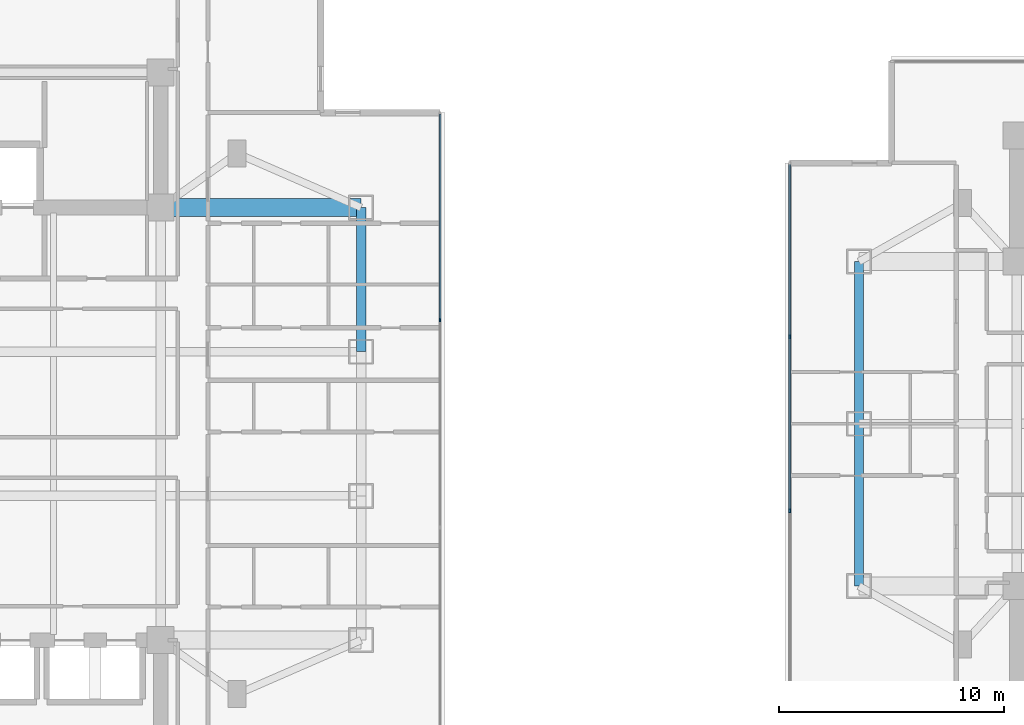
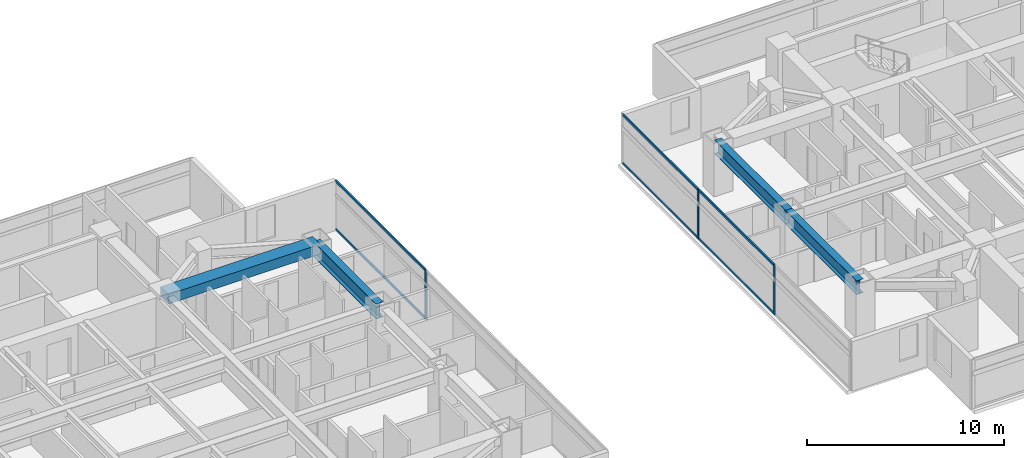
# One storey, part 6 of 26: 9 members, 4 beams, 2 elements without a shape of their own.
"""IFC4 building model written with IfcOpenShell, lengths in metres."""

import ifcopenshell
import ifcopenshell.guid

model = None  # the IFC model being written
_history = None  # IfcOwnerHistory: only IFC2X3 demands one
_inside = {}  # id of a spatial element -> (the spatial element, [elements in it])
_under = {}  # id of a project, library or spatial element -> (it, [spatial elements below it])
_declared = {}  # id of a project -> (the project, [libraries it declares])
_typed = {}  # id of a type object -> (the type object, [elements of that type])
_made_of = {}  # id of a material, layer set ... -> (it, [elements and type objects made of it])


def new_model(schema):
    """Start an empty IFC model of exactly this schema.

    Asked for "IFC4X3", IfcOpenShell would pick the latest addendum, in which some entities
    have other attributes; the version numbers below select the first issue.
    IFC2X3 requires an IfcOwnerHistory on every rooted entity: one is made here for all.
    """
    global model, _history
    if schema == "IFC4X3":
        model = ifcopenshell.file(schema_version=(4, 3, 0, 0))
    else:
        model = ifcopenshell.file(schema=schema)
    _inside.clear()
    _under.clear()
    _declared.clear()
    _typed.clear()
    _made_of.clear()
    _history = None
    if model.schema == "IFC2X3":
        org = make("IfcOrganization", Name="unknown")
        user = make(
            "IfcPersonAndOrganization",
            ThePerson=make("IfcPerson", FamilyName="unknown"),
            TheOrganization=org,
        )
        app = make(
            "IfcApplication",
            ApplicationDeveloper=org,
            Version="unknown",
            ApplicationFullName="unknown",
            ApplicationIdentifier="unknown",
        )
        _history = make(
            "IfcOwnerHistory",
            OwningUser=user,
            OwningApplication=app,
            ChangeAction="ADDED",
            CreationDate=0,
        )
    return model


def make(cls, **values):
    """One entity of the class cls with the attributes given. An attribute that is None is left unset."""
    return model.create_entity(
        cls, **{name: value for name, value in values.items() if value is not None}
    )


def rooted(cls, **values):
    """An entity with a GlobalId (a new one), such as an element, a storey or a relation."""
    return make(cls, GlobalId=ifcopenshell.guid.new(), OwnerHistory=_history, **values)


def si_unit(unit_type, name, prefix=None):
    """IfcSIUnit, for example si_unit("LENGTHUNIT", "METRE", prefix="MILLI")."""
    return make("IfcSIUnit", UnitType=unit_type, Prefix=prefix, Name=name)


def assignment(units):
    """IfcUnitAssignment: the units of a project."""
    return None if units is None else make("IfcUnitAssignment", Units=units)


def point(xyz):
    """IfcCartesianPoint."""
    return None if xyz is None else make("IfcCartesianPoint", Coordinates=xyz)


def direction(xyz):
    """IfcDirection."""
    return None if xyz is None else make("IfcDirection", DirectionRatios=xyz)


def frame(location, z_axis=None, x_axis=None):
    """IfcAxis2Placement3D, a coordinate frame: its origin and axes. An axis left out is left unset."""
    return make(
        "IfcAxis2Placement3D",
        Location=point(location),
        Axis=direction(z_axis),
        RefDirection=direction(x_axis),
    )


def frame_2d(location, x_axis=None):
    """IfcAxis2Placement2D, a coordinate frame in the plane: its origin and x axis."""
    return make(
        "IfcAxis2Placement2D", Location=point(location), RefDirection=direction(x_axis)
    )


def origin():
    """The frame at (0, 0, 0) with its axes left unset."""
    return frame((0.0, 0.0, 0.0))


def origin_2d():
    """The frame at (0, 0) in the plane with its x axis left unset."""
    return frame_2d((0.0, 0.0))


def place(relative_to, where):
    """IfcLocalPlacement: puts the frame where relative to a parent placement (None: the world)."""
    return make(
        "IfcLocalPlacement", PlacementRelTo=relative_to, RelativePlacement=where
    )


def context(
    kind, dimensions, precision=None, world=None, true_north=None, identifier=None
):
    """IfcGeometricRepresentationContext, for example the 3D "Model" context."""
    return make(
        "IfcGeometricRepresentationContext",
        ContextIdentifier=identifier,
        ContextType=kind,
        CoordinateSpaceDimension=dimensions,
        Precision=precision,
        WorldCoordinateSystem=world,
        TrueNorth=true_north,
    )


def subcontext(parent, identifier, kind, view, scale=None):
    """IfcGeometricRepresentationSubContext, for example "Body" below "Model"."""
    return make(
        "IfcGeometricRepresentationSubContext",
        ContextIdentifier=identifier,
        ContextType=kind,
        ParentContext=parent,
        TargetScale=scale,
        TargetView=view,
    )


def project(units=None, contexts=None):
    """IfcProject with its units and contexts."""
    return rooted(
        "IfcProject",
        Name="project",
        RepresentationContexts=contexts,
        UnitsInContext=assignment(units),
    )


def spatial(cls, under=None, at=None, **own):
    """A site, building, storey or space (cls), placed at a placement, below another one or the project."""
    s = rooted(cls, ObjectPlacement=at, **own)
    if under is not None:
        _under.setdefault(under.id(), (under, []))[1].append(s)
    return s


def profile(cls, at=None, kind="AREA", **sizes):
    """A parametric profile (cls). Its sizes go by their IFC names, for example OverallWidth=200.0."""
    return make(cls, ProfileType=kind, Position=at, **sizes)


def rectangle(**sizes):
    """IfcRectangleProfileDef."""
    return profile("IfcRectangleProfileDef", **sizes)


def i_section(**sizes):
    """IfcIShapeProfileDef."""
    return profile("IfcIShapeProfileDef", **sizes)


def extrude(swept, where, along, depth):
    """IfcExtrudedAreaSolid: the profile swept, set in the frame where, extruded along a direction by depth."""
    return make(
        "IfcExtrudedAreaSolid",
        SweptArea=swept,
        Position=where,
        ExtrudedDirection=direction(along),
        Depth=depth,
    )


def shape(context_of_items, identifier, shape_type, items):
    """IfcShapeRepresentation: the items that make up one representation, for example the "Body"."""
    return make(
        "IfcShapeRepresentation",
        ContextOfItems=context_of_items,
        RepresentationIdentifier=identifier,
        RepresentationType=shape_type,
        Items=items,
    )


def material(Name=None, Category=None):
    """IfcMaterial."""
    return make("IfcMaterial", Name=Name, Category=Category)


def material_profile(
    of_material, cross_section, Name=None, Category=None, Priority=None
):
    """IfcMaterialProfile: a cross section and its material."""
    return make(
        "IfcMaterialProfile",
        Name=Name,
        Material=of_material,
        Profile=cross_section,
        Priority=Priority,
        Category=Category,
    )


def profile_set(profiles, Name=None, composite=None):
    """IfcMaterialProfileSet."""
    return make(
        "IfcMaterialProfileSet",
        Name=Name,
        MaterialProfiles=profiles,
        CompositeProfile=composite,
    )


def made_of(thing, what):
    """Note that an element or type object is made of a material, layer set ...; save() writes the relation."""
    if what is not None:
        _made_of.setdefault(what.id(), (what, []))[1].append(thing)
    return thing


def type_object(cls, material=None, **own):
    """A type object (cls), such as IfcWallType, which elements share."""
    return made_of(rooted(cls, **own), material)


def element(
    cls,
    number,
    at=None,
    inside=None,
    cuts=None,
    type_object=None,
    material=None,
    context=None,
    identifier="Body",
    shape_type=None,
    held_by="IfcProductDefinitionShape",
    body=None,
    shapes=None,
    **own,
):
    """One element of the class cls, such as IfcWall. Its Tag is "e" and its number.

    at: its placement. inside: the storey or other place that contains it. cuts: it is an
    opening in that element (IfcRelVoidsElement). A single representation is given by context,
    identifier, shape_type and body (its items); several are given by shapes. held_by: the class
    of the entity that holds the representations. save() writes the other relations.
    """
    e = rooted(cls, Tag="e%d" % number, ObjectPlacement=at, **own)
    if body is not None:
        shapes = [shape(context, identifier, shape_type, body)]
    if shapes is not None:
        e.Representation = make(held_by, Representations=shapes)
    if inside is not None:
        _inside.setdefault(inside.id(), (inside, []))[1].append(e)
    if cuts is not None:
        rooted(
            "IfcRelVoidsElement", RelatingBuildingElement=cuts, RelatedOpeningElement=e
        )
    if type_object is not None:
        _typed.setdefault(type_object.id(), (type_object, []))[1].append(e)
    return made_of(e, material)


def aggregate(whole, parts):
    """IfcRelAggregates: a whole, such as a stair, and the parts it consists of."""
    return rooted("IfcRelAggregates", RelatingObject=whole, RelatedObjects=parts)


def save(model, path):
    """Write the relations noted so far, then the file.

    IfcRelAggregates (storeys below a building ...), IfcRelContainedInSpatialStructure (elements
    in a storey), IfcRelDefinesByType, IfcRelAssociatesMaterial and IfcRelDeclares: one each for
    every whole, place, type object, material and project.
    """
    for whole, parts in _under.values():
        aggregate(whole, parts)
    for where, things in _inside.values():
        rooted(
            "IfcRelContainedInSpatialStructure",
            RelatedElements=things,
            RelatingStructure=where,
        )
    for kind, things in _typed.values():
        rooted("IfcRelDefinesByType", RelatedObjects=things, RelatingType=kind)
    for what, things in _made_of.values():
        rooted("IfcRelAssociatesMaterial", RelatedObjects=things, RelatingMaterial=what)
    for by, libraries in _declared.values():
        rooted("IfcRelDeclares", RelatingContext=by, RelatedDefinitions=libraries)
    model.write(path)


model = new_model("IFC4")

# Units and contexts
model_context = context("Model", 3, precision=1e-05, world=origin(), true_north=direction((0.0, 1.0)))
body_context = subcontext(model_context, "Body", "Model", "MODEL_VIEW")
ifc_project = project(units=[si_unit("LENGTHUNIT", "METRE"), si_unit("AREAUNIT", "SQUARE_METRE"), si_unit("VOLUMEUNIT", "CUBIC_METRE"), si_unit("PLANEANGLEUNIT", "RADIAN"), si_unit("MASSUNIT", "GRAM", prefix="KILO")], contexts=[model_context])

# Site, building, storey
site_placement = place(None, origin())
site = spatial("IfcSite", under=ifc_project, at=site_placement, CompositionType="ELEMENT")
building_placement = place(site_placement, origin())
building = spatial("IfcBuilding", under=site, at=building_placement, Name="Mirazonda Arch Towers", CompositionType="ELEMENT")
storey_placement = place(building_placement, frame((0.0, 0.0, 108.199951171875)))
storey = spatial("IfcBuildingStorey", under=building, at=storey_placement, Name="L30", CompositionType="ELEMENT", Elevation=108.199951171875)

# Beams
ifc_material_1 = material(Name="Steel ASTM A992 Grade 50", Category="steel")
ifc_material_profile_1 = material_profile(ifc_material_1, i_section(OverallWidth=0.39990234375, OverallDepth=0.85595703125, WebThickness=0.018310546875, FlangeThickness=0.029296875, at=origin_2d()), Name="W33X201")
ifc_profile_set_1 = profile_set([ifc_material_profile_1], Name="Steel ASTM A992 Grade 50")
beam_type_1 = type_object("IfcBeamType", Name="BM-EXT-W33X201", PredefinedType="USERDEFINED", material=ifc_profile_set_1)
for number, where, z_axis, x_axis, name in (
    (1, (61.0, 20.800048828125, 2.652099609375), (0.0, 1.0, 0.0), (-1.0, 0.0, 0.0), "L30 Floor Beam BM-T2-L30-NS-W-20"),
    (2, (61.0, 28.0, 2.652099609375), (0.0, 1.0, 0.0), (-1.0, 0.0, 0.0), "L30 Floor Beam BM-T2-L30-NS-W-28"),
):
    element("IfcBeam", number, at=place(storey_placement, frame(where, z_axis=z_axis, x_axis=x_axis)), inside=storey, type_object=beam_type_1, Name=name, ObjectType="GIRDER", PredefinedType="USERDEFINED", context=body_context, shape_type="SweptSolid", body=[
        extrude(i_section(OverallWidth=0.39990234375, OverallDepth=0.85595703125, WebThickness=0.018310546875, FlangeThickness=0.029296875, at=origin_2d()), origin(), (0.0, 0.0, 1.0), 7.199951171875),
    ])
ifc_material_profile_2 = material_profile(ifc_material_1, i_section(OverallWidth=0.41796875, OverallDepth=0.927001953125, WebThickness=0.019287109375, FlangeThickness=0.031982421875, at=origin_2d()), Name="W36X231")
ifc_profile_set_2 = profile_set([ifc_material_profile_2], Name="Steel ASTM A992 Grade 50")
beam_type_2 = type_object("IfcBeamType", Name="BM-EXT-W36X231", PredefinedType="USERDEFINED", material=ifc_profile_set_2)
beam_1_placement = place(storey_placement, frame((38.89990234375, 31.199951171875, 2.616455078125), z_axis=(0.0, 1.0, 0.0), x_axis=(-1.0, 0.0, 0.0)))
element("IfcBeam", 3, at=beam_1_placement, inside=storey, type_object=beam_type_2, Name="L30 Floor Beam BM-T1-L30-NS-E-31", ObjectType="GIRDER", PredefinedType="USERDEFINED", context=body_context, shape_type="SweptSolid", body=[
    extrude(i_section(OverallWidth=0.41796875, OverallDepth=0.927001953125, WebThickness=0.019287109375, FlangeThickness=0.031982421875, at=origin_2d()), origin(), (0.0, 0.0, 1.0), 6.400146484375),
])
ifc_material_2 = material(Name="Concrete C60/75", Category="concrete")
ifc_material_profile_3 = material_profile(ifc_material_2, rectangle(XDim=0.800048828125, YDim=0.60009765625, at=origin_2d()), Name="RCCB800x600")
ifc_profile_set_3 = profile_set([ifc_material_profile_3], Name="Concrete C60/75")
beam_type_3 = type_object("IfcBeamType", Name="CB-INT-RCCB800x600", PredefinedType="SPANDREL", material=ifc_profile_set_3)
beam_2_placement = place(storey_placement, frame((30.0, 37.60009765625, 2.780029296875), z_axis=(1.0, 0.0, 0.0), x_axis=(0.0, 1.0, 0.0)))
element("IfcBeam", 4, at=beam_2_placement, inside=storey, type_object=beam_type_3, Name="L30 Floor Beam CBC-T1-L30-NE", PredefinedType="SPANDREL", context=body_context, shape_type="SweptSolid", body=[
    extrude(rectangle(XDim=0.800048828125, YDim=0.60009765625, at=origin_2d()), origin(), (0.0, 0.0, 1.0), 8.89990234375),
])

# Curtain wall, member
ifc_material_3 = material(Name="Anodised Aluminium and Low-E Glass", Category="aluminium")
curtain_wall_type = type_object("IfcCurtainWallType", Name="CW-HTL-UNIT", PredefinedType="NOTDEFINED", material=ifc_material_3)
curtain_wall_1_placement = place(storey_placement, origin())
curtain_wall_1 = element("IfcCurtainWall", 5, at=curtain_wall_1_placement, inside=storey, type_object=curtain_wall_type, Name="L30 T1 E Facade CW-L30-T1-E", PredefinedType="NOTDEFINED")
ifc_material_4 = material(Name="Anodised Aluminium Alloy", Category="aluminium")
ifc_material_profile_4 = material_profile(ifc_material_4, rectangle(XDim=0.074951171875, YDim=0.1650390625, at=origin_2d()), Name="ALU-MULL-75x165")
ifc_profile_set_4 = profile_set([ifc_material_profile_4], Name="Anodised Aluminium Alloy")
member_type_1 = type_object("IfcMemberType", Name="MULL-CW-HTL-UNIT", PredefinedType="MULLION", material=ifc_profile_set_4)
member_1_placement = place(storey_placement, frame((42.409912109375, 32.604248046875, 0.0), z_axis=(0.0, 0.0, 1.0), x_axis=(-1.0, 0.0, 0.0)))
member_1 = element("IfcMember", 6, at=member_1_placement, type_object=member_type_1, Name="CW-112 mullion 3", PredefinedType="MULLION", context=body_context, shape_type="SweptSolid", body=[
    extrude(rectangle(XDim=0.074951171875, YDim=0.1650390625, at=origin_2d()), origin(), (0.0, 0.0, 1.0), 3.06005859375),
])

# Curtain wall, members
curtain_wall_2_placement = place(storey_placement, origin())
curtain_wall_2 = element("IfcCurtainWall", 7, at=curtain_wall_2_placement, inside=storey, type_object=curtain_wall_type, Name="L30 T2 W Facade CW-L30-T2-W", PredefinedType="NOTDEFINED")
member_2_placement = place(storey_placement, frame((57.929443359375, 31.8603515625, 0.0), z_axis=(0.0, 0.0, 1.0), x_axis=(1.0, 0.0, 0.0)))
member_2 = element("IfcMember", 8, at=member_2_placement, type_object=member_type_1, Name="CW-112 mullion 2", PredefinedType="MULLION", context=body_context, shape_type="SweptSolid", body=[
    extrude(rectangle(XDim=0.074951171875, YDim=0.1650390625, at=origin_2d()), origin(), (0.0, 0.0, 1.0), 3.06005859375),
])
member_3_placement = place(storey_placement, frame((57.929443359375, 24.1396484375, 0.0), z_axis=(0.0, 0.0, 1.0), x_axis=(1.0, 0.0, 0.0)))
member_3 = element("IfcMember", 9, at=member_3_placement, type_object=member_type_1, Name="CW-112 mullion 3", PredefinedType="MULLION", context=body_context, shape_type="SweptSolid", body=[
    extrude(rectangle(XDim=0.074951171875, YDim=0.1650390625, at=origin_2d()), origin(), (0.0, 0.0, 1.0), 3.06005859375),
])

# Member
ifc_material_profile_5 = material_profile(ifc_material_4, rectangle(XDim=0.074951171875, YDim=0.14501953125, at=origin_2d()), Name="ALU-TRAN-75x145")
ifc_profile_set_5 = profile_set([ifc_material_profile_5], Name="Anodised Aluminium Alloy")
member_type_2 = type_object("IfcMemberType", Name="TRAN-CW-HTL-UNIT", PredefinedType="USERDEFINED", material=ifc_profile_set_5)
member_4_placement = place(storey_placement, frame((42.409912109375, 32.641845703125, 0.03759765625), z_axis=(0.0, 1.0, 0.0), x_axis=(-1.0, 0.0, 0.0)))
member_4 = element("IfcMember", 10, at=member_4_placement, type_object=member_type_2, Name="CW-112 transom 3.1", ObjectType="TRANSOM", PredefinedType="USERDEFINED", context=body_context, shape_type="SweptSolid", body=[
    extrude(rectangle(XDim=0.074951171875, YDim=0.14501953125, at=origin_2d()), origin(), (0.0, 0.0, 1.0), 9.09619140625),
])

member_5_placement = place(storey_placement, frame((42.409912109375, 32.641845703125, 3.0224609375), z_axis=(0.0, 1.0, 0.0), x_axis=(-1.0, 0.0, 0.0)))
member_5 = element("IfcMember", 11, at=member_5_placement, type_object=member_type_2, Name="CW-112 transom 3.2", ObjectType="TRANSOM", PredefinedType="USERDEFINED", context=body_context, shape_type="SweptSolid", body=[
    extrude(rectangle(XDim=0.074951171875, YDim=0.14501953125, at=origin_2d()), origin(), (0.0, 0.0, 1.0), 9.09619140625),
])

aggregate(curtain_wall_1, [member_1, member_4, member_5])

member_6_placement = place(storey_placement, frame((57.929443359375, 39.506103515625, 0.03759765625), z_axis=(0.0, -1.0, 0.0), x_axis=(1.0, 0.0, 0.0)))
member_6 = element("IfcMember", 12, at=member_6_placement, type_object=member_type_2, Name="CW-112 transom 1.1", ObjectType="TRANSOM", PredefinedType="USERDEFINED", context=body_context, shape_type="SweptSolid", body=[
    extrude(rectangle(XDim=0.074951171875, YDim=0.14501953125, at=origin_2d()), origin(), (0.0, 0.0, 1.0), 7.608154296875),
])

member_7_placement = place(storey_placement, frame((57.929443359375, 39.506103515625, 3.0224609375), z_axis=(0.0, -1.0, 0.0), x_axis=(1.0, 0.0, 0.0)))
member_7 = element("IfcMember", 13, at=member_7_placement, type_object=member_type_2, Name="CW-112 transom 1.2", ObjectType="TRANSOM", PredefinedType="USERDEFINED", context=body_context, shape_type="SweptSolid", body=[
    extrude(rectangle(XDim=0.074951171875, YDim=0.14501953125, at=origin_2d()), origin(), (0.0, 0.0, 1.0), 7.608154296875),
])

member_8_placement = place(storey_placement, frame((57.929443359375, 31.82275390625, 0.03759765625), z_axis=(0.0, -1.0, 0.0), x_axis=(1.0, 0.0, 0.0)))
member_8 = element("IfcMember", 14, at=member_8_placement, type_object=member_type_2, Name="CW-112 transom 2.1", ObjectType="TRANSOM", PredefinedType="USERDEFINED", context=body_context, shape_type="SweptSolid", body=[
    extrude(rectangle(XDim=0.074951171875, YDim=0.14501953125, at=origin_2d()), origin(), (0.0, 0.0, 1.0), 7.6455078125),
])

member_9_placement = place(storey_placement, frame((57.929443359375, 31.82275390625, 3.0224609375), z_axis=(0.0, -1.0, 0.0), x_axis=(1.0, 0.0, 0.0)))
member_9 = element("IfcMember", 15, at=member_9_placement, type_object=member_type_2, Name="CW-112 transom 2.2", ObjectType="TRANSOM", PredefinedType="USERDEFINED", context=body_context, shape_type="SweptSolid", body=[
    extrude(rectangle(XDim=0.074951171875, YDim=0.14501953125, at=origin_2d()), origin(), (0.0, 0.0, 1.0), 7.6455078125),
])

aggregate(curtain_wall_2, [member_2, member_3, member_6, member_7, member_8, member_9])

save(model, "model.ifc")
